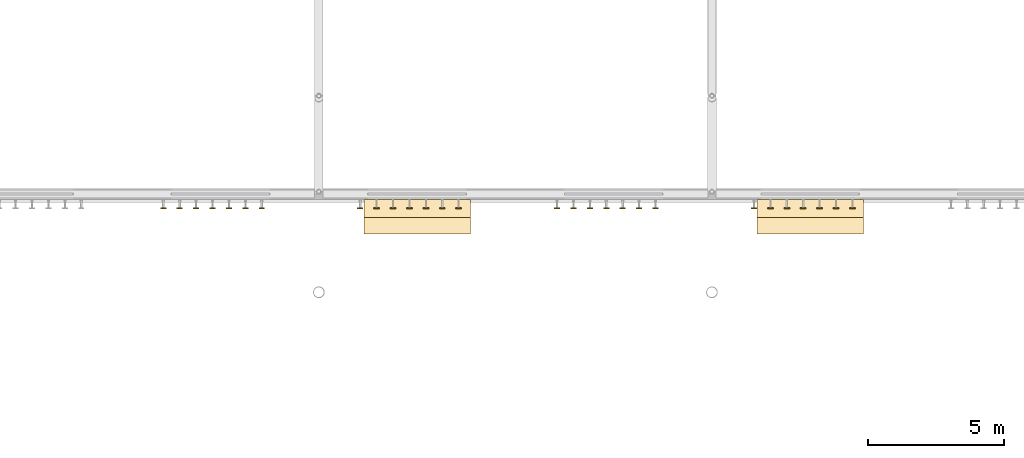
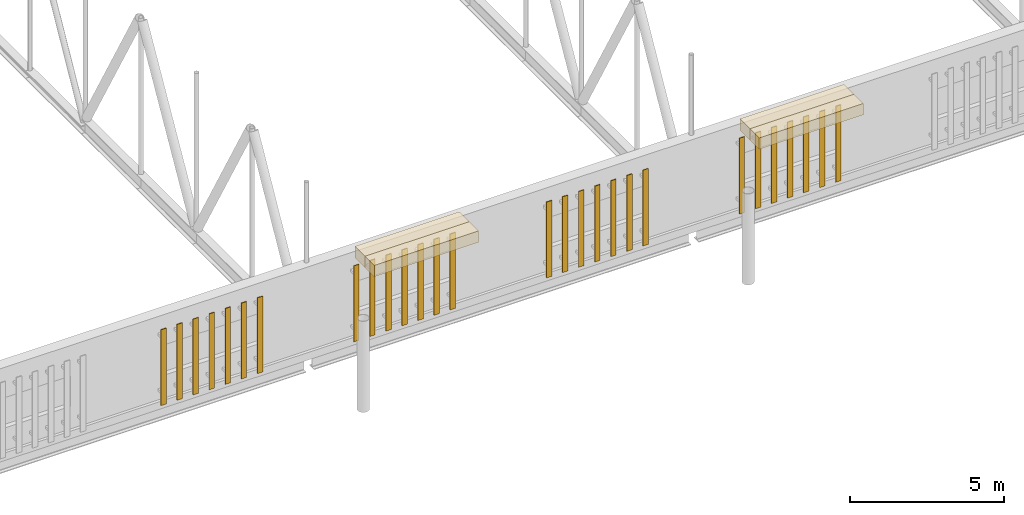
# One storey, part 133 of 142: 28 shading devices, 4 coverings.
"""IFC4 building model written with IfcOpenShell, lengths in metres."""

from ifc_helpers import new_model, si_unit, direction, frame, origin, origin_2d, place, context, subcontext, project, spatial, rectangle, extrude, material, layer, layer_set, type_object, element, save


model = new_model("IFC4")

# Units and contexts
model_context = context("Model", 3, precision=1e-05, world=origin(), true_north=direction((0.0, 1.0)))
body_context = subcontext(model_context, "Body", "Model", "MODEL_VIEW")
ifc_project = project(units=[si_unit("LENGTHUNIT", "METRE"), si_unit("AREAUNIT", "SQUARE_METRE"), si_unit("VOLUMEUNIT", "CUBIC_METRE"), si_unit("PLANEANGLEUNIT", "RADIAN"), si_unit("MASSUNIT", "GRAM", prefix="KILO")], contexts=[model_context])

# Site, building, storey
site_placement = place(None, origin())
site = spatial("IfcSite", under=ifc_project, at=site_placement, CompositionType="ELEMENT")
building_placement = place(site_placement, origin())
building = spatial("IfcBuilding", under=site, at=building_placement, Name="Kupolbacken Congress Centre", CompositionType="ELEMENT")
storey_placement = place(building_placement, frame((0.0, 0.0, 14.39990234375)))
storey = spatial("IfcBuildingStorey", under=building, at=storey_placement, Name="L04", CompositionType="ELEMENT", Elevation=14.39990234375)

# Coverings
ifc_material_1 = material(Name="Limestone cladding", Category="masonry")
ifc_layer_1 = layer(ifc_material_1, 0.60009765625)
ifc_layer_set_1 = layer_set([ifc_layer_1], Name="Limestone cladding")
covering_type = type_object("IfcCoveringType", Name="CV5 limestone arcade pier 600", PredefinedType="CLADDING", material=ifc_layer_set_1)
covering_1_placement = place(storey_placement, frame((154.800048828125, 42.6650390625, 3.35009765625), z_axis=(0.0, 0.0, 1.0), x_axis=(1.0, 0.0, 0.0)))
element("IfcCovering", 1, at=covering_1_placement, inside=storey, type_object=covering_type, Name="F/HR/H/S/fin/09/2/a", PredefinedType="CLADDING", context=body_context, shape_type="SweptSolid", body=[
    extrude(rectangle(XDim=3.89990234375, YDim=0.64990234375, at=origin_2d()), origin(), (0.0, 0.0, 1.0), 0.449951171875),
])
covering_2_placement = place(storey_placement, frame((154.800048828125, 42.0400390625, 3.35009765625), z_axis=(0.0, 0.0, 1.0), x_axis=(1.0, 0.0, 0.0)))
element("IfcCovering", 2, at=covering_2_placement, inside=storey, type_object=covering_type, Name="F/HR/H/S/fin/09/2/b", PredefinedType="CLADDING", context=body_context, shape_type="SweptSolid", body=[
    extrude(rectangle(XDim=3.89990234375, YDim=0.60009765625, at=origin_2d()), origin(), (0.0, 0.0, 1.0), 0.449951171875),
])
covering_3_placement = place(storey_placement, frame((169.199951171875, 42.6650390625, 3.35009765625), z_axis=(0.0, 0.0, 1.0), x_axis=(1.0, 0.0, 0.0)))
element("IfcCovering", 3, at=covering_3_placement, inside=storey, type_object=covering_type, Name="F/HR/H/S/fin/11/2/a", PredefinedType="CLADDING", context=body_context, shape_type="SweptSolid", body=[
    extrude(rectangle(XDim=3.89990234375, YDim=0.64990234375, at=origin_2d()), origin(), (0.0, 0.0, 1.0), 0.449951171875),
])
covering_4_placement = place(storey_placement, frame((169.199951171875, 42.0400390625, 3.35009765625), z_axis=(0.0, 0.0, 1.0), x_axis=(1.0, 0.0, 0.0)))
element("IfcCovering", 4, at=covering_4_placement, inside=storey, type_object=covering_type, Name="F/HR/H/S/fin/11/2/b", PredefinedType="CLADDING", context=body_context, shape_type="SweptSolid", body=[
    extrude(rectangle(XDim=3.89990234375, YDim=0.60009765625, at=origin_2d()), origin(), (0.0, 0.0, 1.0), 0.449951171875),
])

# Shading devices
ifc_material_2 = material(Name="Aluminium alloy louvre", Category="aluminium")
ifc_layer_2 = layer(ifc_material_2, 0.030029296875)
ifc_layer_set_2 = layer_set([ifc_layer_2], Name="Aluminium alloy louvre")
shading_device_type = type_object("IfcShadingDeviceType", Name="SC1 louvre blade 30 x 200", PredefinedType="JALOUSIE", material=ifc_layer_set_2)
for number, where, z_axis, x_axis, name in (
    (5, (145.502685546875, 42.675048828125, 0.300048828125), (0.0, 0.0, 1.0), (1.0, 0.0, 0.0), "E/brise/S/L04/439/B98"),
    (6, (146.103759765625, 42.675048828125, 0.300048828125), (0.0, 0.0, 1.0), (1.0, 0.0, 0.0), "E/brise/S/L04/439/B99"),
    (7, (146.704833984375, 42.675048828125, 0.300048828125), (0.0, 0.0, 1.0), (1.0, 0.0, 0.0), "E/brise/S/L04/439/B100"),
    (8, (147.305908203125, 42.675048828125, 0.300048828125), (0.0, 0.0, 1.0), (1.0, 0.0, 0.0), "E/brise/S/L04/439/B101"),
    (9, (147.90673828125, 42.675048828125, 0.300048828125), (0.0, 0.0, 1.0), (1.0, 0.0, 0.0), "E/brise/S/L04/439/B102"),
    (10, (148.5078125, 42.675048828125, 0.300048828125), (0.0, 0.0, 1.0), (1.0, 0.0, 0.0), "E/brise/S/L04/439/B103"),
    (11, (149.10888671875, 42.675048828125, 0.300048828125), (0.0, 0.0, 1.0), (1.0, 0.0, 0.0), "E/brise/S/L04/439/B104"),
    (12, (152.71533203125, 42.675048828125, 0.300048828125), (0.0, 0.0, 1.0), (1.0, 0.0, 0.0), "E/brise/S/L04/439/B110"),
    (13, (153.31640625, 42.675048828125, 0.300048828125), (0.0, 0.0, 1.0), (1.0, 0.0, 0.0), "E/brise/S/L04/439/B111"),
    (14, (153.91748046875, 42.675048828125, 0.300048828125), (0.0, 0.0, 1.0), (1.0, 0.0, 0.0), "E/brise/S/L04/439/B112"),
    (15, (154.518310546875, 42.675048828125, 0.300048828125), (0.0, 0.0, 1.0), (1.0, 0.0, 0.0), "E/brise/S/L04/439/B113"),
    (16, (155.119384765625, 42.675048828125, 0.300048828125), (0.0, 0.0, 1.0), (1.0, 0.0, 0.0), "E/brise/S/L04/439/B114"),
    (17, (155.720458984375, 42.675048828125, 0.300048828125), (0.0, 0.0, 1.0), (1.0, 0.0, 0.0), "E/brise/S/L04/439/B115"),
    (18, (156.321533203125, 42.675048828125, 0.300048828125), (0.0, 0.0, 1.0), (1.0, 0.0, 0.0), "E/brise/S/L04/439/B116"),
    (19, (159.927978515625, 42.675048828125, 0.300048828125), (0.0, 0.0, 1.0), (1.0, 0.0, 0.0), "E/brise/S/L04/439/B122"),
    (20, (160.529052734375, 42.675048828125, 0.300048828125), (0.0, 0.0, 1.0), (1.0, 0.0, 0.0), "E/brise/S/L04/439/B123"),
    (21, (161.1298828125, 42.675048828125, 0.300048828125), (0.0, 0.0, 1.0), (1.0, 0.0, 0.0), "E/brise/S/L04/439/B124"),
    (22, (161.73095703125, 42.675048828125, 0.300048828125), (0.0, 0.0, 1.0), (1.0, 0.0, 0.0), "E/brise/S/L04/439/B125"),
    (23, (162.33203125, 42.675048828125, 0.300048828125), (0.0, 0.0, 1.0), (1.0, 0.0, 0.0), "E/brise/S/L04/439/B126"),
    (24, (162.93310546875, 42.675048828125, 0.300048828125), (0.0, 0.0, 1.0), (1.0, 0.0, 0.0), "E/brise/S/L04/439/B127"),
    (25, (163.5341796875, 42.675048828125, 0.300048828125), (0.0, 0.0, 1.0), (1.0, 0.0, 0.0), "E/brise/S/L04/439/B128"),
    (26, (167.140625, 42.675048828125, 0.300048828125), (0.0, 0.0, 1.0), (1.0, 0.0, 0.0), "E/brise/S/L04/439/B134"),
    (27, (167.74169921875, 42.675048828125, 0.300048828125), (0.0, 0.0, 1.0), (1.0, 0.0, 0.0), "E/brise/S/L04/439/B135"),
    (28, (168.342529296875, 42.675048828125, 0.300048828125), (0.0, 0.0, 1.0), (1.0, 0.0, 0.0), "E/brise/S/L04/439/B136"),
    (29, (168.943603515625, 42.675048828125, 0.300048828125), (0.0, 0.0, 1.0), (1.0, 0.0, 0.0), "E/brise/S/L04/439/B137"),
    (30, (169.544677734375, 42.675048828125, 0.300048828125), (0.0, 0.0, 1.0), (1.0, 0.0, 0.0), "E/brise/S/L04/439/B138"),
    (31, (170.145751953125, 42.675048828125, 0.300048828125), (0.0, 0.0, 1.0), (1.0, 0.0, 0.0), "E/brise/S/L04/439/B139"),
    (32, (170.746826171875, 42.675048828125, 0.300048828125), (0.0, 0.0, 1.0), (1.0, 0.0, 0.0), "E/brise/S/L04/439/B140"),
):
    element("IfcShadingDevice", number, at=place(storey_placement, frame(where, z_axis=z_axis, x_axis=x_axis)), inside=storey, type_object=shading_device_type, Name=name, PredefinedType="JALOUSIE", context=body_context, shape_type="SweptSolid", body=[
        extrude(rectangle(XDim=0.199951171875, YDim=0.030029296875, at=origin_2d()), origin(), (0.0, 0.0, 1.0), 3.0),
    ])

save(model, "model.ifc")
